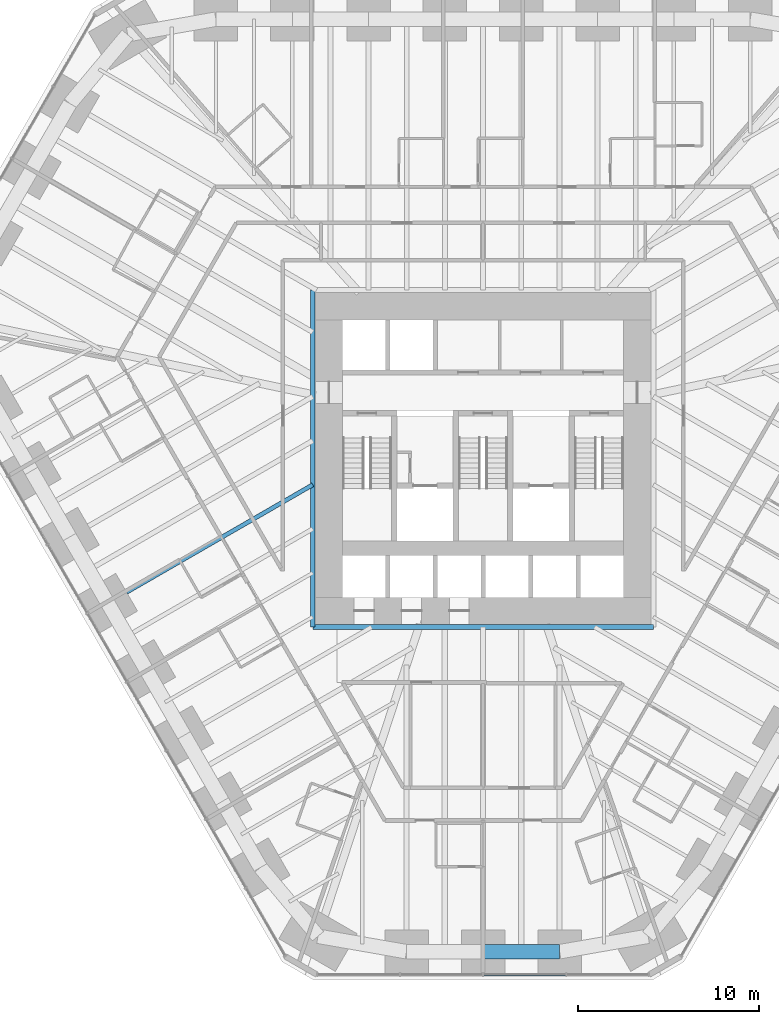
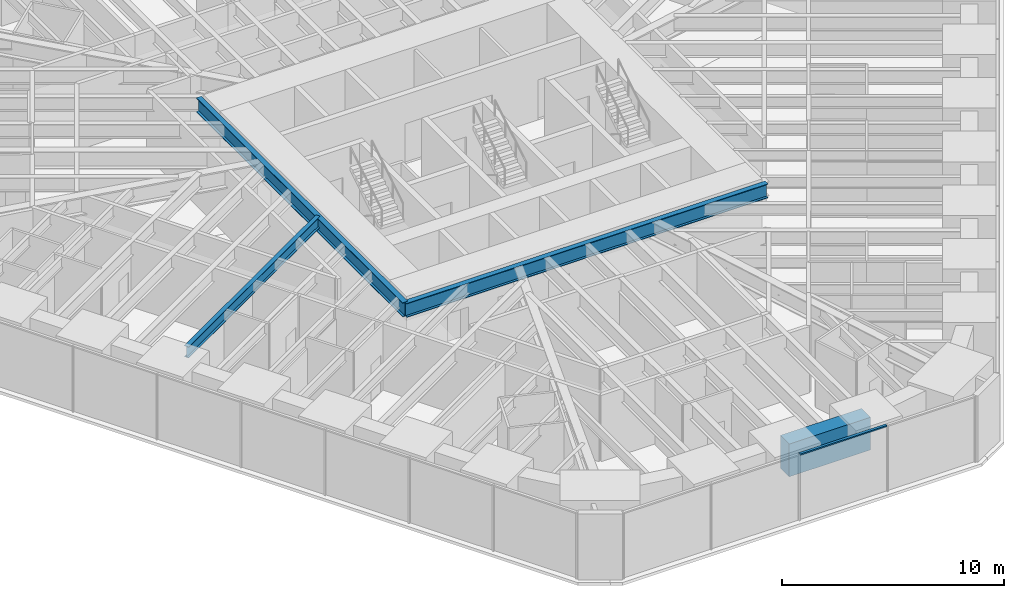
# One storey, part 4 of 17: 4 beams, 1 member, 1 element without a shape of its own.
"""IFC4 building model written with IfcOpenShell, lengths in metres."""

from ifc_helpers import new_model, si_unit, direction, frame, origin, origin_2d, place, context, subcontext, project, spatial, rectangle, i_section, extrude, material, material_profile, profile_set, type_object, element, aggregate, save


model = new_model("IFC4")

# Units and contexts
model_context = context("Model", 3, precision=1e-05, world=origin(), true_north=direction((0.0, 1.0)))
body_context = subcontext(model_context, "Body", "Model", "MODEL_VIEW")
ifc_project = project(units=[si_unit("LENGTHUNIT", "METRE"), si_unit("AREAUNIT", "SQUARE_METRE"), si_unit("VOLUMEUNIT", "CUBIC_METRE"), si_unit("PLANEANGLEUNIT", "RADIAN"), si_unit("MASSUNIT", "GRAM", prefix="KILO")], contexts=[model_context])

# Site, building, storey
site_placement = place(None, origin())
site = spatial("IfcSite", under=ifc_project, at=site_placement, CompositionType="ELEMENT")
building_placement = place(site_placement, origin())
building = spatial("IfcBuilding", under=site, at=building_placement, Name="Sandreach Pilgrim Tower", CompositionType="ELEMENT")
storey_placement = place(building_placement, frame((0.0, 0.0, 26.800048828125)))
storey = spatial("IfcBuildingStorey", under=building, at=storey_placement, Name="L05", CompositionType="ELEMENT", Elevation=26.800048828125)

# Curtain wall, member
ifc_material_1 = material(Name="Aluminium framed curtain wall", Category="aluminium")
curtain_wall_type = type_object("IfcCurtainWallType", Name="Hostel tower curtain wall", PredefinedType="NOTDEFINED", material=ifc_material_1)
curtain_wall_placement = place(storey_placement, origin())
curtain_wall = element("IfcCurtainWall", 1, at=curtain_wall_placement, inside=storey, type_object=curtain_wall_type, Name="CW-1 L05 S", PredefinedType="NOTDEFINED")
ifc_material_2 = material(Name="Aluminium extrusion", Category="aluminium")
ifc_material_profile_1 = material_profile(ifc_material_2, rectangle(XDim=0.139892578125, YDim=0.070068359375, at=origin_2d()), Name="CW-1T 140X70")
ifc_profile_set_1 = profile_set([ifc_material_profile_1], Name="Aluminium extrusion")
member_type = type_object("IfcMemberType", Name="CW-1 transom", PredefinedType="USERDEFINED", material=ifc_profile_set_1)
member_placement = place(storey_placement, frame((4.553466796875, -30.010986328125, 3.60498046875), z_axis=(-1.0, 0.0, 0.0), x_axis=(0.0, -1.0, 0.0)))
member = element("IfcMember", 2, at=member_placement, type_object=member_type, Name="CW-1 head transom 2", ObjectType="TRANSOM", PredefinedType="USERDEFINED", context=body_context, shape_type="SweptSolid", body=[
    extrude(rectangle(XDim=0.139892578125, YDim=0.070068359375, at=origin_2d()), origin(), (0.0, 0.0, 1.0), 4.52099609375),
])
aggregate(curtain_wall, [member])

# Beams
ifc_material_3 = material(Name="Steel ASTM A992 Grade 50", Category="steel")
ifc_material_profile_2 = material_profile(ifc_material_3, i_section(OverallWidth=0.2666015625, OverallDepth=0.77978515625, WebThickness=0.0166015625, FlangeThickness=0.030029296875, at=origin_2d()), Name="W30X148")
ifc_profile_set_2 = profile_set([ifc_material_profile_2], Name="Steel ASTM A992 Grade 50")
beam_type_1 = type_object("IfcBeamType", Name="Core edge beam W30X148", PredefinedType="BEAM", material=ifc_profile_set_2)
beam_1_placement = place(storey_placement, frame((9.393310546875, -10.84326171875, 3.25), z_axis=(-1.0, 0.0, 0.0), x_axis=(0.0, -1.0, 0.0)))
element("IfcBeam", 3, at=beam_1_placement, inside=storey, type_object=beam_type_1, Name="BM L05 CES", PredefinedType="BEAM", context=body_context, shape_type="SweptSolid", body=[
    extrude(i_section(OverallWidth=0.2666015625, OverallDepth=0.77978515625, WebThickness=0.0166015625, FlangeThickness=0.030029296875, at=origin_2d()), origin(), (0.0, 0.0, 1.0), 18.78662109375),
])
beam_2_placement = place(storey_placement, frame((-9.393310546875, -10.84326171875, 3.25), z_axis=(0.0, 1.0, 0.0), x_axis=(-1.0, 0.0, 0.0)))
element("IfcBeam", 4, at=beam_2_placement, inside=storey, type_object=beam_type_1, Name="BM L05 CEW", PredefinedType="BEAM", context=body_context, shape_type="SweptSolid", body=[
    extrude(i_section(OverallWidth=0.2666015625, OverallDepth=0.77978515625, WebThickness=0.0166015625, FlangeThickness=0.030029296875, at=origin_2d()), origin(), (0.0, 0.0, 1.0), 18.586669921875),
])
ifc_material_4 = material(Name="Steel ASTM A992 Grade 50", Category="steel")
ifc_material_profile_3 = material_profile(ifc_material_4, i_section(OverallWidth=0.23046875, OverallDepth=0.6171875, WebThickness=0.01318359375, FlangeThickness=0.022216796875, at=origin_2d()), Name="W24X94")
ifc_profile_set_3 = profile_set([ifc_material_profile_3], Name="Steel ASTM A992 Grade 50")
beam_type_2 = type_object("IfcBeamType", Name="Floor beam W24X94", PredefinedType="BEAM", material=ifc_profile_set_3)
beam_3_placement = place(storey_placement, frame((-19.662353515625, -8.92138671875, 3.331298828125), z_axis=(0.866029924088, 0.499992170523, 0.0), x_axis=(-0.499992170523, 0.866029924088, 0.0)))
element("IfcBeam", 5, at=beam_3_placement, inside=storey, type_object=beam_type_2, Name="BM L05 F31", PredefinedType="BEAM", context=body_context, shape_type="SweptSolid", body=[
    extrude(i_section(OverallWidth=0.23046875, OverallDepth=0.6171875, WebThickness=0.01318359375, FlangeThickness=0.022216796875, at=origin_2d()), origin(), (0.0, 0.0, 1.0), 11.857666015625),
])
ifc_material_5 = material(Name="Concrete 10000 psi", Category="concrete")
ifc_material_profile_4 = material_profile(ifc_material_5, rectangle(XDim=0.800048828125, YDim=1.800048828125, at=origin_2d()), Name="RC800X1800")
ifc_profile_set_4 = profile_set([ifc_material_profile_4], Name="Concrete 10000 psi")
beam_type_3 = type_object("IfcBeamType", Name="Spandrel beam RC800X1800", PredefinedType="SPANDREL", material=ifc_profile_set_4)
beam_4_placement = place(storey_placement, frame((4.222412109375, -28.7509765625, 2.739990234375), z_axis=(-1.0, 0.0, 0.0), x_axis=(0.0, -1.0, 0.0)))
element("IfcBeam", 6, at=beam_4_placement, inside=storey, type_object=beam_type_3, Name="BM L05 SP23", PredefinedType="SPANDREL", context=body_context, shape_type="SweptSolid", body=[
    extrude(rectangle(XDim=0.800048828125, YDim=1.800048828125, at=origin_2d()), origin(), (0.0, 0.0, 1.0), 4.222412109375),
])

save(model, "model.ifc")
